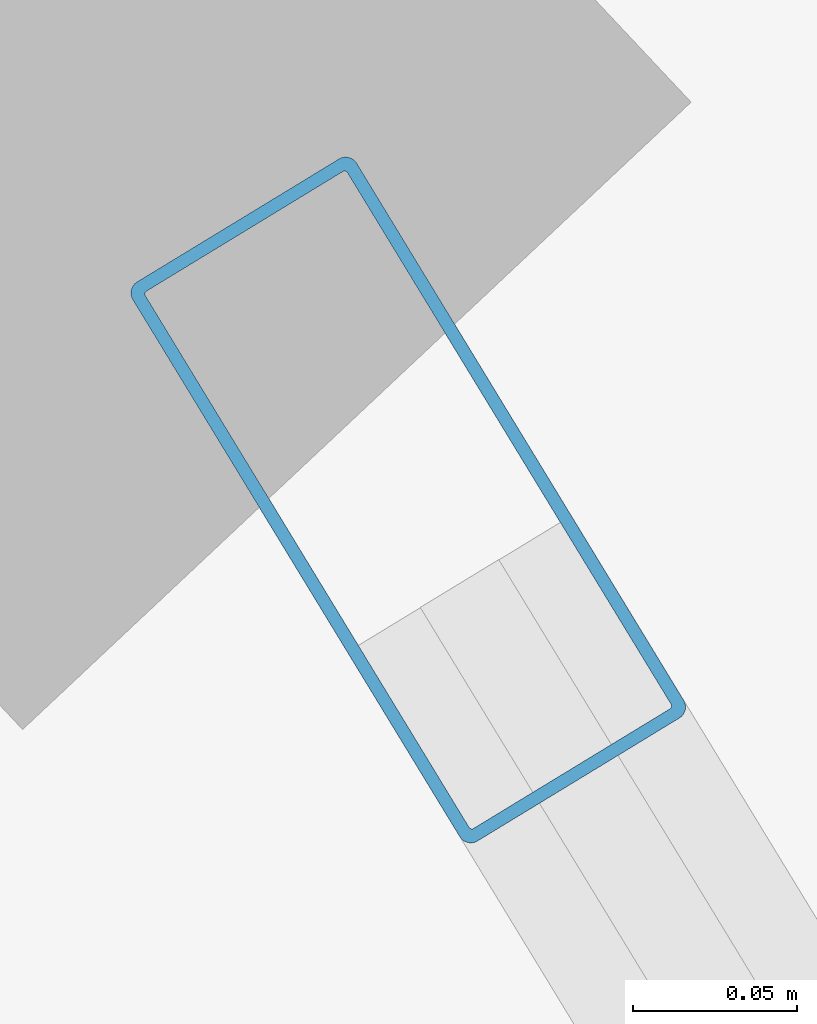
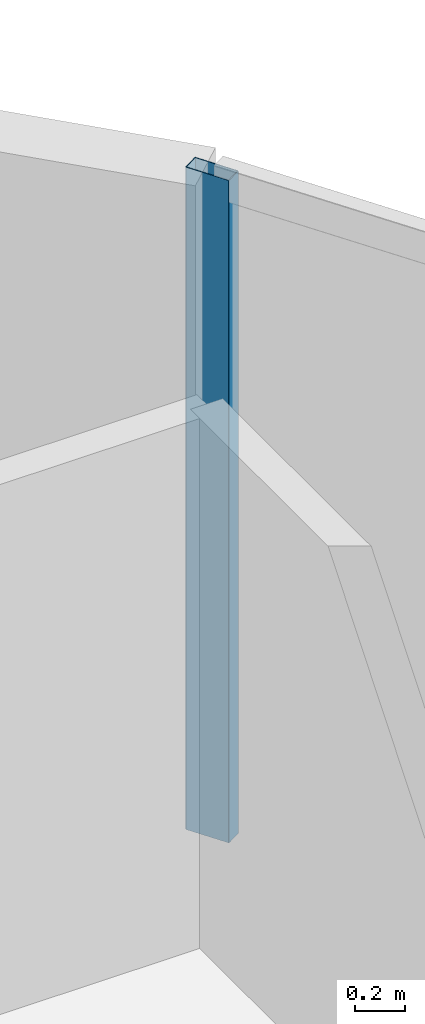
# One storey, part 21 of 30: 1 member, 1 element without a shape of its own.
"""IFC4 building model written with IfcOpenShell, lengths in metres."""

from ifc_helpers import new_model, si_unit, direction, frame, origin, origin_2d, place, context, subcontext, project, spatial, hollow_rectangle, extrude, material, layer, layer_set, material_profile, profile_set, type_object, element, aggregate, save


model = new_model("IFC4")

# Units and contexts
model_context = context("Model", 3, precision=1e-05, world=origin(), true_north=direction((0.0, 1.0)))
body_context = subcontext(model_context, "Body", "Model", "MODEL_VIEW")
ifc_project = project(units=[si_unit("LENGTHUNIT", "METRE"), si_unit("AREAUNIT", "SQUARE_METRE"), si_unit("VOLUMEUNIT", "CUBIC_METRE"), si_unit("PLANEANGLEUNIT", "RADIAN"), si_unit("MASSUNIT", "GRAM", prefix="KILO")], contexts=[model_context])

# Site, building, storey
site_placement = place(None, origin())
site = spatial("IfcSite", under=ifc_project, at=site_placement, CompositionType="ELEMENT")
building_placement = place(site_placement, origin())
building = spatial("IfcBuilding", under=site, at=building_placement, Name="Bramvorn Convention Spire", CompositionType="ELEMENT")
storey_placement = place(building_placement, frame((0.0, 0.0, 86.89990234375)))
storey = spatial("IfcBuildingStorey", under=building, at=storey_placement, Name="L20", CompositionType="ELEMENT", Elevation=86.89990234375)

# Curtain wall, member
ifc_material_1 = material(Name="Anodised Bronze Unitised Curtain Wall", Category="aluminium")
ifc_layer = layer(ifc_material_1, 0.179931640625)
ifc_layer_set = layer_set([ifc_layer], Name="Anodised Bronze Unitised Curtain Wall - CW-HTL-FRIT")
curtain_wall_type = type_object("IfcCurtainWallType", Name="CW-HTL-FRIT", PredefinedType="USERDEFINED", material=ifc_layer_set)
curtain_wall_placement = place(storey_placement, origin())
curtain_wall = element("IfcCurtainWall", 1, at=curtain_wall_placement, inside=storey, type_object=curtain_wall_type, Name="L20 fritted glass curtain wall 03", ObjectType="UNITISED CURTAIN WALL", PredefinedType="USERDEFINED")
ifc_material_2 = material(Name="Anodised Bronze Aluminium 6063-T6", Category="aluminium")
ifc_material_profile = material_profile(ifc_material_2, hollow_rectangle(XDim=0.080078125, YDim=0.199951171875, WallThickness=0.00390625, InnerFilletRadius=0.0009765625, OuterFilletRadius=0.00390625, at=origin_2d()))
ifc_profile_set = profile_set([ifc_material_profile], Name="Anodised Bronze Aluminium 6063-T6 - CWM80X200")
member_type = type_object("IfcMemberType", Name="CW-MUL-180", PredefinedType="MULLION", material=ifc_profile_set)
member_placement = place(storey_placement, frame((64.555419921875, 35.961669921875, 0.0), z_axis=(0.0, 0.0, 1.0), x_axis=(0.854125823328, 0.52006641684, 0.0)))
member = element("IfcMember", 2, at=member_placement, type_object=member_type, Name="CW2 mullion 1", PredefinedType="MULLION", context=body_context, shape_type="SweptSolid", body=[
    extrude(hollow_rectangle(XDim=0.080078125, YDim=0.199951171875, WallThickness=0.00390625, InnerFilletRadius=0.0009765625, OuterFilletRadius=0.00390625, at=origin_2d()), origin(), (0.0, 0.0, 1.0), 3.25),
])
aggregate(curtain_wall, [member])

save(model, "model.ifc")
